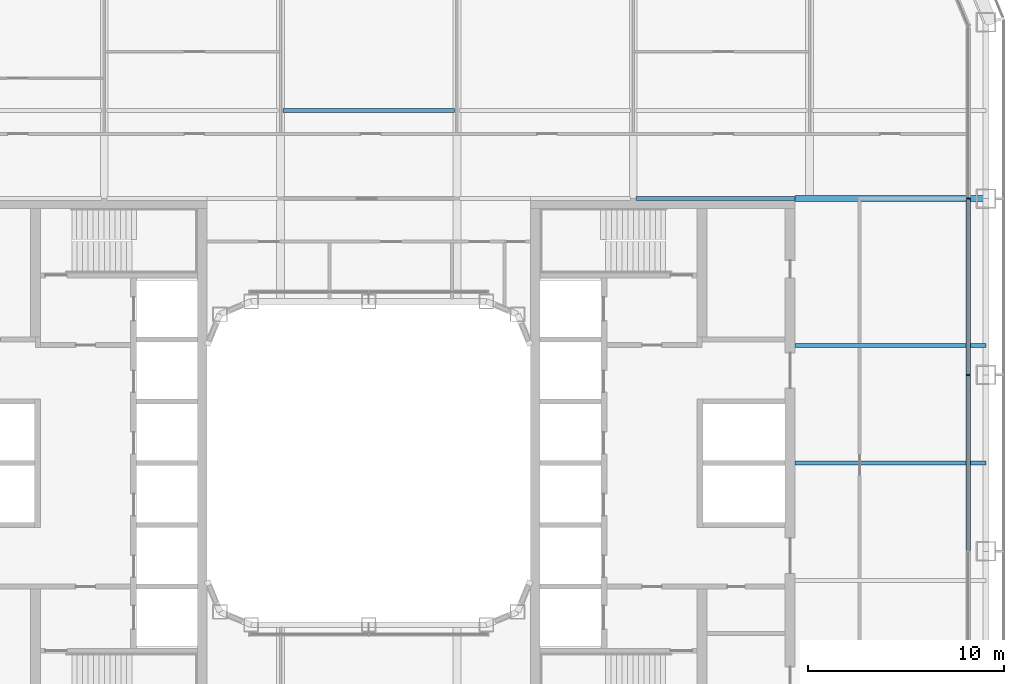
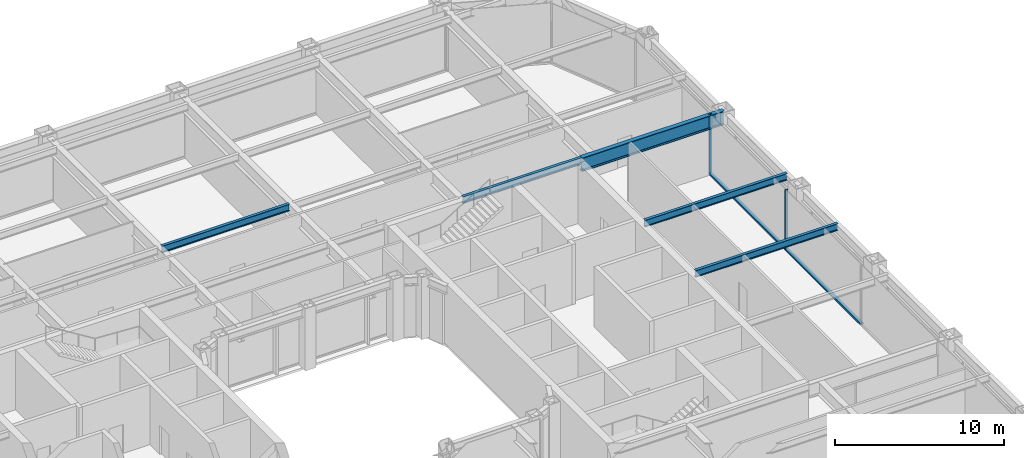
# One storey, part 9 of 28: 5 beams, 4 members, 1 element without a shape of its own.
"""IFC4 building model written with IfcOpenShell, lengths in metres."""

from ifc_helpers import new_model, si_unit, direction, frame, origin, origin_2d, place, context, subcontext, project, spatial, rectangle, i_section, extrude, material, layer, layer_set, material_profile, profile_set, type_object, element, aggregate, save


model = new_model("IFC4")

# Units and contexts
model_context = context("Model", 3, precision=1e-05, world=origin(), true_north=direction((0.0, 1.0)))
body_context = subcontext(model_context, "Body", "Model", "MODEL_VIEW")
ifc_project = project(units=[si_unit("LENGTHUNIT", "METRE"), si_unit("AREAUNIT", "SQUARE_METRE"), si_unit("VOLUMEUNIT", "CUBIC_METRE"), si_unit("PLANEANGLEUNIT", "RADIAN"), si_unit("MASSUNIT", "GRAM", prefix="KILO")], contexts=[model_context])

# Site, building, storey
site_placement = place(None, origin())
site = spatial("IfcSite", under=ifc_project, at=site_placement, CompositionType="ELEMENT")
building_placement = place(site_placement, origin())
building = spatial("IfcBuilding", under=site, at=building_placement, Name="Siwar Civic Tower", CompositionType="ELEMENT")
storey_placement = place(building_placement, frame((0.0, 0.0, 85.199951171875)))
storey = spatial("IfcBuildingStorey", under=building, at=storey_placement, Name="L18", CompositionType="ELEMENT", Elevation=85.199951171875)

# Curtain wall, members
ifc_material_1 = material(Name="Aluminium and glass", Category="aluminium")
ifc_layer = layer(ifc_material_1, 0.219970703125)
ifc_layer_set = layer_set([ifc_layer], Name="Aluminium and glass")
curtain_wall_type = type_object("IfcCurtainWallType", Name="ENV-CW-A", PredefinedType="NOTDEFINED", material=ifc_layer_set)
curtain_wall_placement = place(storey_placement, origin())
curtain_wall = element("IfcCurtainWall", 1, at=curtain_wall_placement, inside=storey, type_object=curtain_wall_type, Name="Curtain wall A E", PredefinedType="NOTDEFINED")
ifc_material_2 = material(Name="Aluminium 6063-T6", Category="aluminium")
ifc_material_profile_1 = material_profile(ifc_material_2, rectangle(XDim=0.219970703125, YDim=0.070068359375, at=origin_2d()), Name="AL 220x70")
ifc_profile_set_1 = profile_set([ifc_material_profile_1], Name="Aluminium 6063-T6")
member_type_1 = type_object("IfcMemberType", Name="ENV-MULLION-A", PredefinedType="MULLION", material=ifc_profile_set_1)
member_1_placement = place(storey_placement, frame((30.60009765625, 4.5, 0.0), z_axis=(0.0, 0.0, 1.0), x_axis=(-1.0, 0.0, 0.0)))
member_1 = element("IfcMember", 2, at=member_1_placement, type_object=member_type_1, Name="Mullion A E 4", PredefinedType="MULLION", context=body_context, shape_type="SweptSolid", body=[
    extrude(rectangle(XDim=0.219970703125, YDim=0.070068359375, at=origin_2d()), origin(), (0.0, 0.0, 1.0), 4.35009765625),
])
member_2_placement = place(storey_placement, frame((30.60009765625, 13.5, 0.0), z_axis=(0.0, 0.0, 1.0), x_axis=(-1.0, 0.0, 0.0)))
member_2 = element("IfcMember", 3, at=member_2_placement, type_object=member_type_1, Name="Mullion A E 5", PredefinedType="MULLION", context=body_context, shape_type="SweptSolid", body=[
    extrude(rectangle(XDim=0.219970703125, YDim=0.070068359375, at=origin_2d()), origin(), (0.0, 0.0, 1.0), 4.35009765625),
])
ifc_material_3 = material(Name="Aluminium 6063-T6", Category="aluminium")
ifc_material_profile_2 = material_profile(ifc_material_3, rectangle(XDim=0.219970703125, YDim=0.1201171875, at=origin_2d()), Name="AL 220x120")
ifc_profile_set_2 = profile_set([ifc_material_profile_2], Name="Aluminium 6063-T6")
member_type_2 = type_object("IfcMemberType", Name="ENV-TRANSOM-A", PredefinedType="USERDEFINED", material=ifc_profile_set_2)
member_3_placement = place(storey_placement, frame((30.60009765625, -4.465087890625, 0.06005859375), z_axis=(0.0, 1.0, 0.0), x_axis=(-1.0, 0.0, 0.0)))
member_3 = element("IfcMember", 4, at=member_3_placement, type_object=member_type_2, Name="Transom A E 3", ObjectType="TRANSOM", PredefinedType="USERDEFINED", context=body_context, shape_type="SweptSolid", body=[
    extrude(rectangle(XDim=0.219970703125, YDim=0.1201171875, at=origin_2d()), origin(), (0.0, 0.0, 1.0), 8.93017578125),
])
member_4_placement = place(storey_placement, frame((30.60009765625, 4.534912109375, 0.06005859375), z_axis=(0.0, 1.0, 0.0), x_axis=(-1.0, 0.0, 0.0)))
member_4 = element("IfcMember", 5, at=member_4_placement, type_object=member_type_2, Name="Transom A E 4", ObjectType="TRANSOM", PredefinedType="USERDEFINED", context=body_context, shape_type="SweptSolid", body=[
    extrude(rectangle(XDim=0.219970703125, YDim=0.1201171875, at=origin_2d()), origin(), (0.0, 0.0, 1.0), 8.93017578125),
])
aggregate(curtain_wall, [member_1, member_2, member_3, member_4])

# Beams
ifc_material_4 = material(Name="Steel S355", Category="steel")
ifc_material_profile_3 = material_profile(ifc_material_4, i_section(OverallWidth=0.199951171875, OverallDepth=0.5, WebThickness=0.01025390625, FlangeThickness=0.01611328125, FilletRadius=0.02099609375, at=origin_2d()), Name="IPE500")
ifc_profile_set_3 = profile_set([ifc_material_profile_3], Name="Steel S355")
beam_type_1 = type_object("IfcBeamType", Name="STR-FB-IPE500", PredefinedType="JOIST", material=ifc_profile_set_3)
for number, where, z_axis, x_axis, name in (
    (6, (21.75, 0.0, 4.10009765625), (1.0, 0.0, 0.0), (0.0, 1.0, 0.0), "L18/bm/F034"),
    (7, (21.75, 6.0, 4.10009765625), (1.0, 0.0, 0.0), (0.0, 1.0, 0.0), "L18/bm/F036"),
):
    element("IfcBeam", number, at=place(storey_placement, frame(where, z_axis=z_axis, x_axis=x_axis)), inside=storey, type_object=beam_type_1, Name=name, PredefinedType="JOIST", context=body_context, shape_type="SweptSolid", body=[
        extrude(i_section(OverallWidth=0.199951171875, OverallDepth=0.5, WebThickness=0.01025390625, FlangeThickness=0.01611328125, FilletRadius=0.02099609375, at=origin_2d()), origin(), (0.0, 0.0, 1.0), 9.75),
    ])
beam_1_placement = place(storey_placement, frame((13.6298828125, 13.5, 4.10009765625), z_axis=(1.0, 0.0, 0.0), x_axis=(0.0, 1.0, 0.0)))
element("IfcBeam", 8, at=beam_1_placement, inside=storey, type_object=beam_type_1, Name="L18/bm/F044", PredefinedType="JOIST", context=body_context, shape_type="SweptSolid", body=[
    extrude(i_section(OverallWidth=0.199951171875, OverallDepth=0.5, WebThickness=0.01025390625, FlangeThickness=0.01611328125, FilletRadius=0.02099609375, at=origin_2d()), origin(), (0.0, 0.0, 1.0), 8.1201171875),
])
beam_2_placement = place(storey_placement, frame((-4.3701171875, 18.0, 4.10009765625), z_axis=(1.0, 0.0, 0.0), x_axis=(0.0, 1.0, 0.0)))
element("IfcBeam", 9, at=beam_2_placement, inside=storey, type_object=beam_type_1, Name="L18/bm/F049", PredefinedType="JOIST", context=body_context, shape_type="SweptSolid", body=[
    extrude(i_section(OverallWidth=0.199951171875, OverallDepth=0.5, WebThickness=0.01025390625, FlangeThickness=0.01611328125, FilletRadius=0.02099609375, at=origin_2d()), origin(), (0.0, 0.0, 1.0), 8.740234375),
])
ifc_material_5 = material(Name="Steel S355", Category="steel")
ifc_material_profile_4 = material_profile(ifc_material_5, i_section(OverallWidth=0.300048828125, OverallDepth=1.0, WebThickness=0.01904296875, FlangeThickness=0.035888671875, FilletRadius=0.030029296875, at=origin_2d()), Name="HEB1000")
ifc_profile_set_4 = profile_set([ifc_material_profile_4], Name="Steel S355")
beam_type_2 = type_object("IfcBeamType", Name="STR-PG-HEB1000", PredefinedType="BEAM", material=ifc_profile_set_4)
beam_3_placement = place(storey_placement, frame((21.75, 13.5, 3.85009765625), z_axis=(1.0, 0.0, 0.0), x_axis=(0.0, 1.0, 0.0)))
element("IfcBeam", 10, at=beam_3_placement, inside=storey, type_object=beam_type_2, Name="L18/bm/F045", PredefinedType="BEAM", context=body_context, shape_type="SweptSolid", body=[
    extrude(i_section(OverallWidth=0.300048828125, OverallDepth=1.0, WebThickness=0.01904296875, FlangeThickness=0.035888671875, FilletRadius=0.030029296875, at=origin_2d()), origin(), (0.0, 0.0, 1.0), 9.75),
])

save(model, "model.ifc")
